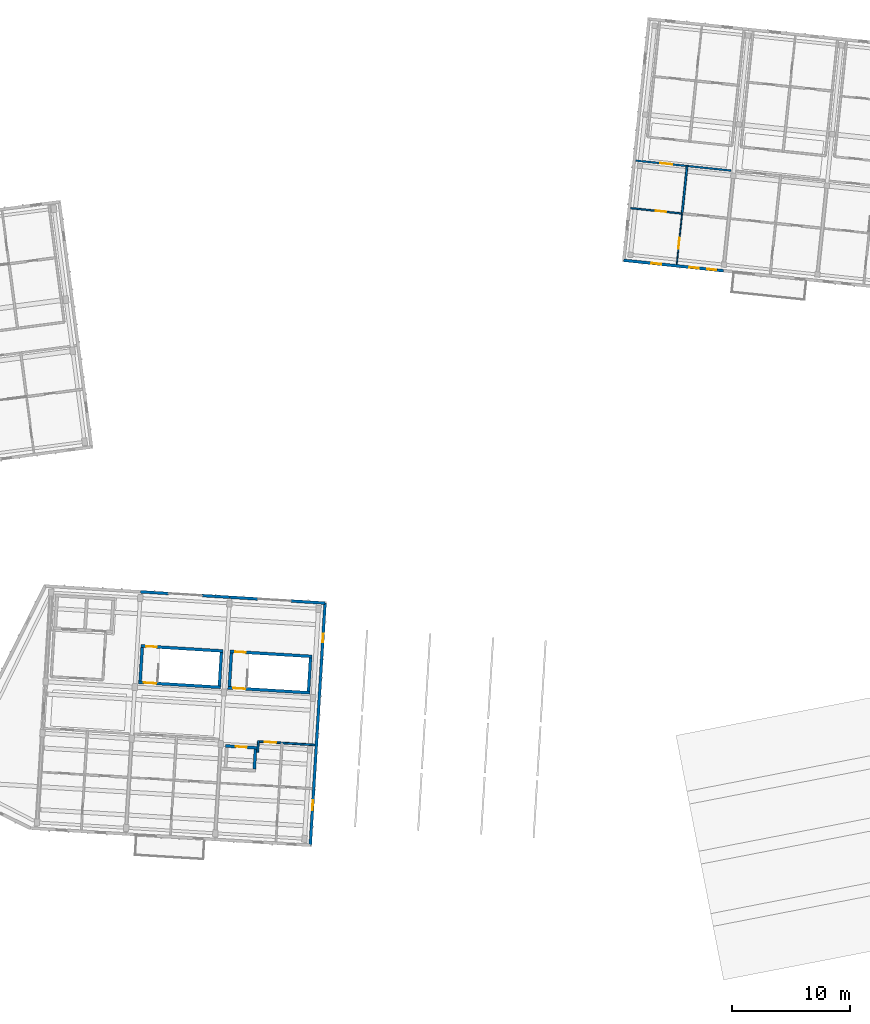
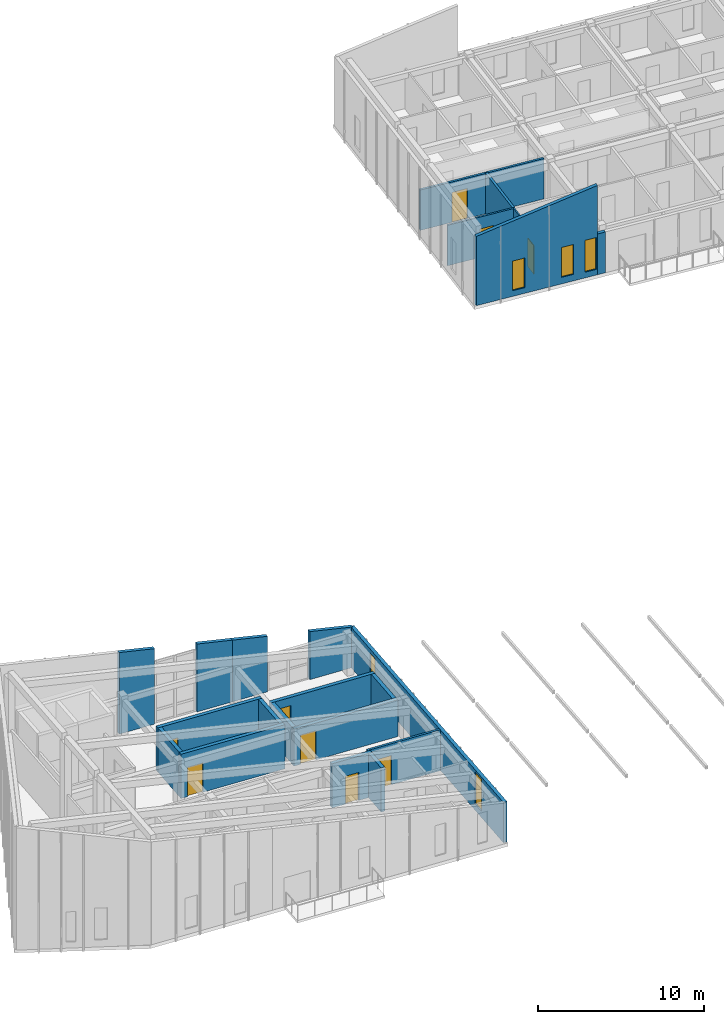
# One storey, part 23 of 45: 23 walls, 9 doors, 5 windows, 14 openings.
"""IFC4 building model written with IfcOpenShell, lengths in metres."""

from ifc_helpers import new_model, si_unit, direction, frame, frame_2d, origin, place, context, subcontext, project, spatial, polyline, rectangle, outline, extrude, material, layer, layer_set, type_object, element, fill, save


model = new_model("IFC4")

# Units and contexts
model_context = context("Model", 3, precision=1e-05, world=origin(), true_north=direction((0.0, 1.0)))
body_context = subcontext(model_context, "Body", "Model", "MODEL_VIEW")
ifc_project = project(units=[si_unit("LENGTHUNIT", "METRE"), si_unit("AREAUNIT", "SQUARE_METRE"), si_unit("VOLUMEUNIT", "CUBIC_METRE"), si_unit("PLANEANGLEUNIT", "RADIAN"), si_unit("MASSUNIT", "GRAM", prefix="KILO")], contexts=[model_context])

# Site, building, storey
site_placement = place(None, origin())
site = spatial("IfcSite", under=ifc_project, at=site_placement, CompositionType="ELEMENT")
building_placement = place(site_placement, origin())
building = spatial("IfcBuilding", under=site, at=building_placement, Name="Kestramere Prow Commons", CompositionType="ELEMENT")
storey_placement = place(building_placement, frame((0.0, 0.0, 31.14990234375)))
storey = spatial("IfcBuildingStorey", under=building, at=storey_placement, Name="L09", CompositionType="ELEMENT", Elevation=31.14990234375)

# Wall
ifc_material_1 = material(Name="Fluoropolymer Standing-Seam Zinc-Aluminium Cladding", Category="aluminium")
ifc_layer_1 = layer(ifc_material_1, 0.239990234375)
ifc_layer_set_1 = layer_set([ifc_layer_1], Name="Fluoropolymer Standing-Seam Zinc-Aluminium Cladding")
wall_type_1 = type_object("IfcWallType", Name="EW-SEAM-240", PredefinedType="SOLIDWALL", material=ifc_layer_set_1)
wall_1_placement = place(storey_placement, frame((117.9013671875, 93.441650390625, 0.0), z_axis=(0.0, 0.0, 1.0), x_axis=(-0.99451309317, 0.104612176701, 0.0)))
element("IfcWall", 1, at=wall_1_placement, inside=storey, type_object=wall_type_1, Name="Block B L09 South Step-Back Spandrel Wall 1", PredefinedType="SOLIDWALL", context=body_context, shape_type="SweptSolid", body=[
    extrude(rectangle(XDim=0.525146484375, YDim=0.239990234375, at=frame_2d((0.2626953125, 0.0))), origin(), (0.0, 0.0, 1.0), 3.0),
])

# Wall, openings, windows
wall_2_placement = place(storey_placement, frame((117.379150390625, 93.49658203125, 0.0), z_axis=(0.0, 0.0, 1.0), x_axis=(-0.994522329422, 0.104524333444, 0.0)))
wall_2 = element("IfcWall", 2, at=wall_2_placement, inside=storey, type_object=wall_type_1, Name="Block B L09 South Standing-Seam Wall 1", PredefinedType="SOLIDWALL", context=body_context, shape_type="SweptSolid", body=[
    extrude(outline(polyline([(0.0, 0.0), (7.999755859375, 0.0), (8.0, 5.08447265625), (0.0, 6.56884765625), (0.0, 0.0)])), frame((0.0, 0.1201171875, 0.0), z_axis=(0.0, -1.0, 0.0), x_axis=(1.0, 0.0, 0.0)), (0.0, 0.0, 1.0), 0.239990234375),
])
opening_1_placement = place(wall_2_placement, frame((0.0849609375, 0.0, 0.419921875)))
opening_1 = element("IfcOpeningElement", 3, at=opening_1_placement, cuts=wall_2, Name="Opening WN-10", PredefinedType="OPENING", context=body_context, shape_type="SweptSolid", body=[
    extrude(rectangle(XDim=0.760009765625, YDim=2.340087890625, at=frame_2d((0.3798828125, 1.169921875))), frame((0.0, 0.135009765625, 0.0), z_axis=(0.0, -1.0, 0.0), x_axis=(1.0, 0.0, 0.0)), (0.0, 0.0, 1.0), 0.27001953125),
])
opening_2_placement = place(wall_2_placement, frame((1.594970703125, 0.0, 0.47998046875)))
opening_2 = element("IfcOpeningElement", 4, at=opening_2_placement, cuts=wall_2, Name="Opening WN-11", PredefinedType="OPENING", context=body_context, shape_type="SweptSolid", body=[
    extrude(rectangle(XDim=0.780029296875, YDim=2.199951171875, at=frame_2d((0.39013671875, 1.10009765625))), frame((0.0, 0.135009765625, 0.0), z_axis=(0.0, -1.0, 0.0), x_axis=(1.0, 0.0, 0.0)), (0.0, 0.0, 1.0), 0.27001953125),
])
opening_3_placement = place(wall_2_placement, frame((4.80126953125, 0.0, 0.419921875)))
opening_3 = element("IfcOpeningElement", 5, at=opening_3_placement, cuts=wall_2, Name="Opening WN-13", PredefinedType="OPENING", context=body_context, shape_type="SweptSolid", body=[
    extrude(rectangle(XDim=0.820068359375, YDim=2.179931640625, at=frame_2d((0.41015625, 1.08984375))), frame((0.0, 0.135009765625, 0.0), z_axis=(0.0, -1.0, 0.0), x_axis=(1.0, 0.0, 0.0)), (0.0, 0.0, 1.0), 0.27001953125),
])
ifc_material_2 = material(Name="Low-E Laminated Double Glazing", Category="glass")
window_type_1 = type_object("IfcWindowType", Name="WN-NAR-760A", PartitioningType="SINGLE_PANEL", PredefinedType="WINDOW", material=ifc_material_2)
window_1_placement = place(opening_1_placement, origin())
window_1 = element("IfcWindow", 6, at=window_1_placement, inside=storey, type_object=window_type_1, Name="WN-B-L09-S-0-00", OverallHeight=2.340087890625, OverallWidth=0.760009765625, PartitioningType="SINGLE_PANEL", PredefinedType="WINDOW", context=body_context, shape_type="SweptSolid", body=[
    extrude(rectangle(XDim=0.760009765625, YDim=2.340087890625, at=frame_2d((0.3798828125, 1.169921875))), frame((0.0, 0.030029296875, 0.0), z_axis=(0.0, -1.0, 0.0), x_axis=(1.0, 0.0, 0.0)), (0.0, 0.0, 1.0), 0.06005859375),
])
fill(opening_1, window_1)
window_type_2 = type_object("IfcWindowType", Name="WN-NAR-780A", PartitioningType="SINGLE_PANEL", PredefinedType="WINDOW", material=ifc_material_2)
window_2_placement = place(opening_2_placement, origin())
window_2 = element("IfcWindow", 7, at=window_2_placement, inside=storey, type_object=window_type_2, Name="WN-B-L09-S-0-01", OverallHeight=2.199951171875, OverallWidth=0.780029296875, PartitioningType="SINGLE_PANEL", PredefinedType="WINDOW", context=body_context, shape_type="SweptSolid", body=[
    extrude(rectangle(XDim=0.780029296875, YDim=2.199951171875, at=frame_2d((0.39013671875, 1.10009765625))), frame((0.0, 0.030029296875, 0.0), z_axis=(0.0, -1.0, 0.0), x_axis=(1.0, 0.0, 0.0)), (0.0, 0.0, 1.0), 0.06005859375),
])
fill(opening_2, window_2)
window_type_3 = type_object("IfcWindowType", Name="WN-NAR-820A", PartitioningType="DOUBLE_PANEL_VERTICAL", PredefinedType="WINDOW", material=ifc_material_2)
window_3_placement = place(opening_3_placement, origin())
window_3 = element("IfcWindow", 8, at=window_3_placement, inside=storey, type_object=window_type_3, Name="WN-B-L09-S-0-10", OverallHeight=2.179931640625, OverallWidth=0.820068359375, PartitioningType="SINGLE_PANEL", PredefinedType="WINDOW", context=body_context, shape_type="SweptSolid", body=[
    extrude(rectangle(XDim=0.820068359375, YDim=2.179931640625, at=frame_2d((0.41015625, 1.08984375))), frame((0.0, 0.030029296875, 0.0), z_axis=(0.0, -1.0, 0.0), x_axis=(1.0, 0.0, 0.0)), (0.0, 0.0, 1.0), 0.06005859375),
])
fill(opening_3, window_3)

# Walls
wall_3_placement = place(storey_placement, frame((68.314453125, 66.12353515625, 0.0), z_axis=(0.0, 0.0, 1.0), x_axis=(0.998134103342, -0.061059902923, 0.0)))
element("IfcWall", 9, at=wall_3_placement, inside=storey, type_object=wall_type_1, Name="Block C L09 North Standing-Seam Pier 2L", PredefinedType="SOLIDWALL", context=body_context, shape_type="SweptSolid", body=[
    extrude(outline(polyline([(0.0, 0.0), (2.375, 0.0), (2.375, 5.541015625), (0.0, 5.997802734375), (0.0, 0.0)])), frame((0.0, 0.1201171875, 0.0), z_axis=(0.0, -1.0, 0.0), x_axis=(1.0, 0.0, 0.0)), (0.0, 0.0, 1.0), 0.239990234375),
])
wall_4_placement = place(storey_placement, frame((73.52978515625, 65.804443359375, 0.0), z_axis=(0.0, 0.0, 1.0), x_axis=(0.998133720034, -0.061066168473, 0.0)))
element("IfcWall", 10, at=wall_4_placement, inside=storey, type_object=wall_type_1, Name="Block C L09 North Standing-Seam Pier 2R", PredefinedType="SOLIDWALL", context=body_context, shape_type="SweptSolid", body=[
    extrude(outline(polyline([(0.0, 0.0), (2.374755859375, 0.0), (2.375, 4.535400390625), (0.0, 4.992431640625), (0.0, 0.0)])), frame((0.0, 0.1201171875, 0.0), z_axis=(0.0, -1.0, 0.0), x_axis=(1.0, 0.0, 0.0)), (0.0, 0.0, 1.0), 0.239990234375),
])
wall_5_placement = place(storey_placement, frame((75.900146484375, 65.659423828125, 0.0), z_axis=(0.0, 0.0, 1.0), x_axis=(0.998140363035, -0.06095749076, 0.0)))
element("IfcWall", 11, at=wall_5_placement, inside=storey, type_object=wall_type_1, Name="Block C L09 North Standing-Seam Pier 3L", PredefinedType="SOLIDWALL", context=body_context, shape_type="SweptSolid", body=[
    extrude(outline(polyline([(0.0, 0.0), (2.375, 0.0), (2.375, 4.07861328125), (0.0, 4.535400390625), (0.0, 0.0)])), frame((0.0, 0.1201171875, 0.0), z_axis=(0.0, -1.0, 0.0), x_axis=(1.0, 0.0, 0.0)), (0.0, 0.0, 1.0), 0.239990234375),
])
wall_6_placement = place(storey_placement, frame((81.115478515625, 65.340576171875, 0.0), z_axis=(0.0, 0.0, 1.0), x_axis=(0.998135537192, -0.061036459553, 0.0)))
element("IfcWall", 12, at=wall_6_placement, inside=storey, type_object=wall_type_1, Name="Block C L09 North Standing-Seam Pier 3R", PredefinedType="SOLIDWALL", context=body_context, shape_type="SweptSolid", body=[
    extrude(outline(polyline([(0.0, 0.0), (2.89990234375, 0.0), (2.89990234375, 2.97216796875), (0.0, 3.5302734375), (0.0, 0.0)])), frame((0.0, 0.1201171875, 0.0), z_axis=(0.0, -1.0, 0.0), x_axis=(1.0, 0.0, 0.0)), (0.0, 0.0, 1.0), 0.239990234375),
])

# Wall, openings, windows
wall_7_placement = place(storey_placement, frame((84.010009765625, 65.16357421875, 0.0), z_axis=(0.0, 0.0, 1.0), x_axis=(-0.061040833846, -0.998135269692, 0.0)))
wall_7 = element("IfcWall", 13, at=wall_7_placement, inside=storey, type_object=wall_type_1, Name="Block C L09 EAV Facet Wall", PredefinedType="SOLIDWALL", context=body_context, shape_type="SweptSolid", body=[
    extrude(rectangle(XDim=20.650146484375, YDim=0.239990234375, at=frame_2d((10.3251953125, 0.0))), origin(), (0.0, 0.0, 1.0), 2.97216796875),
])
opening_4_placement = place(wall_7_placement, frame((2.6298828125, 0.0, 0.52001953125)))
opening_4 = element("IfcOpeningElement", 14, at=opening_4_placement, cuts=wall_7, Name="Opening WN-08", PredefinedType="OPENING", context=body_context, shape_type="SweptSolid", body=[
    extrude(rectangle(XDim=0.719970703125, YDim=2.159912109375, at=frame_2d((0.35986328125, 1.080078125))), frame((0.0, 0.135009765625, 0.0), z_axis=(0.0, -1.0, 0.0), x_axis=(1.0, 0.0, 0.0)), (0.0, 0.0, 1.0), 0.27001953125),
])
opening_5_placement = place(wall_7_placement, frame((16.800048828125, 0.0, 0.449951171875)))
opening_5 = element("IfcOpeningElement", 15, at=opening_5_placement, cuts=wall_7, Name="Opening WN-15", PredefinedType="OPENING", context=body_context, shape_type="SweptSolid", body=[
    extrude(rectangle(XDim=0.860107421875, YDim=2.360107421875, at=frame_2d((0.43017578125, 1.18017578125))), frame((0.0, 0.135009765625, 0.0), z_axis=(0.0, -1.0, 0.0), x_axis=(1.0, 0.0, 0.0)), (0.0, 0.0, 1.0), 0.27001953125),
])
window_type_4 = type_object("IfcWindowType", Name="WN-NAR-720A", PartitioningType="SINGLE_PANEL", PredefinedType="WINDOW", material=ifc_material_2)
window_4_placement = place(opening_4_placement, origin())
window_4 = element("IfcWindow", 16, at=window_4_placement, inside=storey, type_object=window_type_4, Name="WN-C-L09-EAV-0", OverallHeight=2.159912109375, OverallWidth=0.719970703125, PartitioningType="SINGLE_PANEL", PredefinedType="WINDOW", context=body_context, shape_type="SweptSolid", body=[
    extrude(rectangle(XDim=0.719970703125, YDim=2.159912109375, at=frame_2d((0.35986328125, 1.080078125))), frame((0.0, 0.030029296875, 0.0), z_axis=(0.0, -1.0, 0.0), x_axis=(1.0, 0.0, 0.0)), (0.0, 0.0, 1.0), 0.06005859375),
])
fill(opening_4, window_4)
window_type_5 = type_object("IfcWindowType", Name="WN-NAR-860A", PartitioningType="DOUBLE_PANEL_VERTICAL", PredefinedType="WINDOW", material=ifc_material_2)
window_5_placement = place(opening_5_placement, origin())
window_5 = element("IfcWindow", 17, at=window_5_placement, inside=storey, type_object=window_type_5, Name="WN-C-L09-EAV-1", OverallHeight=2.360107421875, OverallWidth=0.860107421875, PartitioningType="SINGLE_PANEL", PredefinedType="WINDOW", context=body_context, shape_type="SweptSolid", body=[
    extrude(rectangle(XDim=0.860107421875, YDim=2.360107421875, at=frame_2d((0.43017578125, 1.18017578125))), frame((0.0, 0.030029296875, 0.0), z_axis=(0.0, -1.0, 0.0), x_axis=(1.0, 0.0, 0.0)), (0.0, 0.0, 1.0), 0.06005859375),
])
fill(opening_5, window_5)

# Wall, opening, door
ifc_material_3 = material(Name="Concrete C40/50", Category="concrete")
ifc_layer_2 = layer(ifc_material_3, 0.25)
ifc_layer_set_2 = layer_set([ifc_layer_2], Name="Concrete C40/50")
wall_type_2 = type_object("IfcWallType", Name="W-CORE-250", PredefinedType="SHEAR", material=ifc_layer_set_2)
wall_8_placement = place(storey_placement, frame((68.3330078125, 61.513671875, 0.0), z_axis=(0.0, 0.0, 1.0), x_axis=(0.998135676081, -0.061034188237, 0.0)))
wall_8 = element("IfcWall", 18, at=wall_8_placement, inside=storey, type_object=wall_type_2, Name="ST-C1 L09 North Shaft Wall", PredefinedType="SHEAR", context=body_context, shape_type="SweptSolid", body=[
    extrude(rectangle(XDim=7.0, YDim=0.25, at=frame_2d((3.5, 0.0))), origin(), (0.0, 0.0, 1.0), 3.25),
])
opening_6_placement = place(wall_8_placement, frame((0.449951171875, 0.0, 0.0)))
opening_6 = element("IfcOpeningElement", 19, at=opening_6_placement, cuts=wall_8, Name="Opening ID-08", PredefinedType="OPENING", context=body_context, shape_type="SweptSolid", body=[
    extrude(rectangle(XDim=0.89990234375, YDim=2.10009765625, at=frame_2d((0.449951171875, 1.050048828125))), frame((0.0, 0.139892578125, 0.0), z_axis=(0.0, -1.0, 0.0), x_axis=(1.0, 0.0, 0.0)), (0.0, 0.0, 1.0), 0.280029296875),
])
ifc_material_4 = material(Name="Engineered Timber Flush Door", Category="wood")
door_type_1 = type_object("IfcDoorType", Name="D-RM-01", OperationType="NOTDEFINED", PredefinedType="DOOR", material=ifc_material_4)
door_1_placement = place(opening_6_placement, origin())
door_1 = element("IfcDoor", 20, at=door_1_placement, inside=storey, type_object=door_type_1, Name="ST-C1 L09 North Room Door", OperationType="SINGLE_SWING_RIGHT", OverallHeight=2.10009765625, OverallWidth=0.89990234375, PredefinedType="DOOR", context=body_context, shape_type="SweptSolid", body=[
    extrude(rectangle(XDim=0.89990234375, YDim=2.10009765625, at=frame_2d((0.449951171875, 1.050048828125))), frame((0.0, 0.02490234375, 0.0), z_axis=(0.0, -1.0, 0.0), x_axis=(1.0, 0.0, 0.0)), (0.0, 0.0, 1.0), 0.050048828125),
])
fill(opening_6, door_1)

wall_9_placement = place(storey_placement, frame((68.143798828125, 58.41943359375, 0.0), z_axis=(0.0, 0.0, 1.0), x_axis=(0.998135546153, -0.061036313012, 0.0)))
wall_9 = element("IfcWall", 21, at=wall_9_placement, inside=storey, type_object=wall_type_2, Name="ST-C1 L09 Corridor Shaft Wall", PredefinedType="SHEAR", context=body_context, shape_type="SweptSolid", body=[
    extrude(rectangle(XDim=6.999755859375, YDim=0.25, at=frame_2d((3.5, 0.0))), origin(), (0.0, 0.0, 1.0), 3.25),
])
opening_7_placement = place(wall_9_placement, frame((0.449951171875, 0.0, 0.0)))
opening_7 = element("IfcOpeningElement", 22, at=opening_7_placement, cuts=wall_9, Name="Opening ID-01", PredefinedType="OPENING", context=body_context, shape_type="SweptSolid", body=[
    extrude(rectangle(XDim=1.050048828125, YDim=2.14990234375, at=frame_2d((0.52490234375, 1.074951171875))), frame((0.0, 0.139892578125, 0.0), z_axis=(0.0, -1.0, 0.0), x_axis=(1.0, 0.0, 0.0)), (0.0, 0.0, 1.0), 0.280029296875),
])
ifc_material_5 = material(Name="Fire-Rated Timber and Steel Frame", Category="steel")
door_type_2 = type_object("IfcDoorType", Name="FD-ST-01", OperationType="NOTDEFINED", PredefinedType="DOOR", material=ifc_material_5)
door_2_placement = place(opening_7_placement, origin())
door_2 = element("IfcDoor", 23, at=door_2_placement, inside=storey, type_object=door_type_2, Name="ST-C1 L09 Protected Stair Door", OperationType="SINGLE_SWING_RIGHT", OverallHeight=2.14990234375, OverallWidth=1.050048828125, PredefinedType="DOOR", context=body_context, shape_type="SweptSolid", body=[
    extrude(rectangle(XDim=1.050048828125, YDim=2.14990234375, at=frame_2d((0.52490234375, 1.074951171875))), frame((0.0, 0.02490234375, 0.0), z_axis=(0.0, -1.0, 0.0), x_axis=(1.0, 0.0, 0.0)), (0.0, 0.0, 1.0), 0.050048828125),
])
fill(opening_7, door_2)

# Walls
for number, where, z_axis, x_axis, name in (
    (24, (68.276123046875, 58.53662109375, 0.0), (0.0, 0.0, 1.0), (0.06107697143, 0.998133059046, 0.0), "ST-C1 L09 Near Shaft Wall"),
    (25, (75.013671875, 58.12451171875, 0.0), (0.0, 0.0, 1.0), (0.060991628362, 0.99813827763, 0.0), "ST-C1 L09 Far Shaft Wall"),
):
    element("IfcWall", number, at=place(storey_placement, frame(where, z_axis=z_axis, x_axis=x_axis)), inside=storey, type_object=wall_type_2, Name=name, PredefinedType="SHEAR", context=body_context, shape_type="SweptSolid", body=[
        extrude(rectangle(XDim=2.85009765625, YDim=0.25, at=frame_2d((1.425048828125, 0.0))), origin(), (0.0, 0.0, 1.0), 3.25),
    ])

# Wall, opening, door
wall_10_placement = place(storey_placement, frame((75.9189453125, 61.0498046875, 0.0), z_axis=(0.0, 0.0, 1.0), x_axis=(0.998135546153, -0.061036313012, 0.0)))
wall_10 = element("IfcWall", 26, at=wall_10_placement, inside=storey, type_object=wall_type_2, Name="ST-C2 L09 North Shaft Wall", PredefinedType="SHEAR", context=body_context, shape_type="SweptSolid", body=[
    extrude(rectangle(XDim=6.999755859375, YDim=0.25, at=frame_2d((3.5, 0.0))), origin(), (0.0, 0.0, 1.0), 2.708251953125),
])
opening_8_placement = place(wall_10_placement, frame((0.449951171875, 0.0, 0.0)))
opening_8 = element("IfcOpeningElement", 27, at=opening_8_placement, cuts=wall_10, Name="Opening ID-08", PredefinedType="OPENING", context=body_context, shape_type="SweptSolid", body=[
    extrude(rectangle(XDim=0.89990234375, YDim=2.10009765625, at=frame_2d((0.449951171875, 1.050048828125))), frame((0.0, 0.139892578125, 0.0), z_axis=(0.0, -1.0, 0.0), x_axis=(1.0, 0.0, 0.0)), (0.0, 0.0, 1.0), 0.280029296875),
])
door_3_placement = place(opening_8_placement, origin())
door_3 = element("IfcDoor", 28, at=door_3_placement, inside=storey, type_object=door_type_1, Name="ST-C2 L09 North Room Door", OperationType="SINGLE_SWING_RIGHT", OverallHeight=2.10009765625, OverallWidth=0.89990234375, PredefinedType="DOOR", context=body_context, shape_type="SweptSolid", body=[
    extrude(rectangle(XDim=0.89990234375, YDim=2.10009765625, at=frame_2d((0.449951171875, 1.050048828125))), frame((0.0, 0.02490234375, 0.0), z_axis=(0.0, -1.0, 0.0), x_axis=(1.0, 0.0, 0.0)), (0.0, 0.0, 1.0), 0.050048828125),
])
fill(opening_8, door_3)

wall_11_placement = place(storey_placement, frame((75.729736328125, 57.95556640625, 0.0), z_axis=(0.0, 0.0, 1.0), x_axis=(0.998135546153, -0.061036313012, 0.0)))
wall_11 = element("IfcWall", 29, at=wall_11_placement, inside=storey, type_object=wall_type_2, Name="ST-C2 L09 Corridor Shaft Wall", PredefinedType="SHEAR", context=body_context, shape_type="SweptSolid", body=[
    extrude(rectangle(XDim=6.999755859375, YDim=0.25, at=frame_2d((3.5, 0.0))), origin(), (0.0, 0.0, 1.0), 2.708251953125),
])
opening_9_placement = place(wall_11_placement, frame((0.449951171875, 0.0, 0.0)))
opening_9 = element("IfcOpeningElement", 30, at=opening_9_placement, cuts=wall_11, Name="Opening ID-01", PredefinedType="OPENING", context=body_context, shape_type="SweptSolid", body=[
    extrude(rectangle(XDim=1.050048828125, YDim=2.14990234375, at=frame_2d((0.52490234375, 1.074951171875))), frame((0.0, 0.139892578125, 0.0), z_axis=(0.0, -1.0, 0.0), x_axis=(1.0, 0.0, 0.0)), (0.0, 0.0, 1.0), 0.280029296875),
])
door_4_placement = place(opening_9_placement, origin())
door_4 = element("IfcDoor", 31, at=door_4_placement, inside=storey, type_object=door_type_2, Name="ST-C2 L09 Protected Stair Door", OperationType="SINGLE_SWING_RIGHT", OverallHeight=2.14990234375, OverallWidth=1.050048828125, PredefinedType="DOOR", context=body_context, shape_type="SweptSolid", body=[
    extrude(rectangle(XDim=1.050048828125, YDim=2.14990234375, at=frame_2d((0.52490234375, 1.074951171875))), frame((0.0, 0.02490234375, 0.0), z_axis=(0.0, -1.0, 0.0), x_axis=(1.0, 0.0, 0.0)), (0.0, 0.0, 1.0), 0.050048828125),
])
fill(opening_9, door_4)

# Walls
for number, where, z_axis, x_axis, name in (
    (32, (75.862060546875, 58.07275390625, 0.0), (0.0, 0.0, 1.0), (0.060991628362, 0.99813827763, 0.0), "ST-C2 L09 Near Shaft Wall"),
    (33, (82.599365234375, 57.66064453125, 0.0), (0.0, 0.0, 1.0), (0.06107697143, 0.998133059046, 0.0), "ST-C2 L09 Far Shaft Wall"),
):
    element("IfcWall", number, at=place(storey_placement, frame(where, z_axis=z_axis, x_axis=x_axis)), inside=storey, type_object=wall_type_2, Name=name, PredefinedType="SHEAR", context=body_context, shape_type="SweptSolid", body=[
        extrude(rectangle(XDim=2.85009765625, YDim=0.25, at=frame_2d((1.425048828125, 0.0))), origin(), (0.0, 0.0, 1.0), 2.708251953125),
    ])

# Wall, opening, door
ifc_material_6 = material(Name="Fire-Rated Calcium Silicate Wall")
ifc_layer_3 = layer(ifc_material_6, 0.155029296875)
ifc_layer_set_3 = layer_set([ifc_layer_3], Name="Fire-Rated Calcium Silicate Wall")
wall_type_3 = type_object("IfcWallType", Name="W-FIRE-150", PredefinedType="PARTITIONING", material=ifc_layer_set_3)
wall_12_placement = place(storey_placement, frame((110.445556640625, 102.8173828125, 0.0), z_axis=(0.0, 0.0, 1.0), x_axis=(0.994520852686, -0.104538383252, 0.0)))
wall_12 = element("IfcWall", 34, at=wall_12_placement, inside=storey, type_object=wall_type_3, Name="Interior Partition PW-B-L09-CS-0", PredefinedType="PARTITIONING", context=body_context, shape_type="SweptSolid", body=[
    extrude(rectangle(XDim=8.159912109375, YDim=0.155029296875, at=frame_2d((4.080078125, 0.0))), origin(), (0.0, 0.0, 1.0), 2.97021484375),
])
opening_10_placement = place(wall_12_placement, frame((2.0849609375, 0.0, 0.0)))
opening_10 = element("IfcOpeningElement", 35, at=opening_10_placement, cuts=wall_12, Name="Opening ID-05", PredefinedType="OPENING", context=body_context, shape_type="SweptSolid", body=[
    extrude(rectangle(XDim=1.02001953125, YDim=2.199951171875, at=frame_2d((0.510009765625, 1.10009765625))), frame((0.0, 0.092529296875, 0.0), z_axis=(0.0, -1.0, 0.0), x_axis=(1.0, 0.0, 0.0)), (0.0, 0.0, 1.0), 0.18505859375),
])
ifc_material_7 = material(Name="Hardwood Fire-Rated Flat Entrance Door", Category="wood")
door_type_3 = type_object("IfcDoorType", Name="FD-ENT-02", OperationType="NOTDEFINED", PredefinedType="DOOR", material=ifc_material_7)
door_5_placement = place(opening_10_placement, origin())
door_5 = element("IfcDoor", 36, at=door_5_placement, inside=storey, type_object=door_type_3, Name="Interior Door DR-B-L09-ENT-S0", OperationType="SINGLE_SWING_RIGHT", OverallHeight=2.199951171875, OverallWidth=1.02001953125, PredefinedType="DOOR", context=body_context, shape_type="SweptSolid", body=[
    extrude(rectangle(XDim=1.02001953125, YDim=2.199951171875, at=frame_2d((0.510009765625, 1.10009765625))), frame((0.0, 0.02490234375, 0.0), z_axis=(0.0, -1.0, 0.0), x_axis=(1.0, 0.0, 0.0)), (0.0, 0.0, 1.0), 0.050048828125),
])
fill(opening_10, door_5)

# Wall
wall_13_placement = place(storey_placement, frame((78.279052734375, 52.464599609375, 0.0), z_axis=(0.0, 0.0, 1.0), x_axis=(0.061095097219, 0.998131949742, 0.0)))
element("IfcWall", 37, at=wall_13_placement, inside=storey, type_object=wall_type_3, Name="Interior Partition PW-C-L09-HS-CLOSER", PredefinedType="PARTITIONING", context=body_context, shape_type="SweptSolid", body=[
    extrude(rectangle(XDim=0.9951171875, YDim=0.155029296875, at=frame_2d((0.49755859375, 0.0))), origin(), (0.0, 0.0, 1.0), 3.01806640625),
])

# Wall, opening, door
wall_14_placement = place(storey_placement, frame((78.415283203125, 53.378173828125, 0.0), z_axis=(0.0, 0.0, 1.0), x_axis=(0.998134754438, -0.061049258666, 0.0)))
wall_14 = element("IfcWall", 38, at=wall_14_placement, inside=storey, type_object=wall_type_3, Name="Interior Partition PW-C-L09-CS-2", PredefinedType="PARTITIONING", context=body_context, shape_type="SweptSolid", body=[
    extrude(rectangle(XDim=4.73486328125, YDim=0.155029296875, at=frame_2d((2.367431640625, 0.0))), origin(), (0.0, 0.0, 1.0), 3.01806640625),
])
opening_11_placement = place(wall_14_placement, frame((0.45703125, 0.0, 0.0)))
opening_11 = element("IfcOpeningElement", 39, at=opening_11_placement, cuts=wall_14, Name="Opening ID-04", PredefinedType="OPENING", context=body_context, shape_type="SweptSolid", body=[
    extrude(rectangle(XDim=0.97998046875, YDim=2.14990234375, at=frame_2d((0.489990234375, 1.074951171875))), frame((0.0, 0.092529296875, 0.0), z_axis=(0.0, -1.0, 0.0), x_axis=(1.0, 0.0, 0.0)), (0.0, 0.0, 1.0), 0.18505859375),
])
door_type_4 = type_object("IfcDoorType", Name="FD-ENT-01", OperationType="NOTDEFINED", PredefinedType="DOOR", material=ifc_material_7)
door_6_placement = place(opening_11_placement, origin())
door_6 = element("IfcDoor", 40, at=door_6_placement, inside=storey, type_object=door_type_4, Name="Interior Door DR-C-L09-ENT-S2", OperationType="SINGLE_SWING_RIGHT", OverallHeight=2.14990234375, OverallWidth=0.97998046875, PredefinedType="DOOR", context=body_context, shape_type="SweptSolid", body=[
    extrude(rectangle(XDim=0.97998046875, YDim=2.14990234375, at=frame_2d((0.489990234375, 1.074951171875))), frame((0.0, 0.02490234375, 0.0), z_axis=(0.0, -1.0, 0.0), x_axis=(1.0, 0.0, 0.0)), (0.0, 0.0, 1.0), 0.050048828125),
])
fill(opening_11, door_6)

ifc_layer_4 = layer(ifc_material_3, 0.25)
ifc_layer_set_4 = layer_set([ifc_layer_4], Name="Concrete C40/50")
wall_type_4 = type_object("IfcWallType", Name="W-HS-250", PredefinedType="SHEAR", material=ifc_layer_set_4)
wall_15_placement = place(storey_placement, frame((75.52734375, 53.0087890625, 0.0), z_axis=(0.0, 0.0, 1.0), x_axis=(0.998129907752, -0.061128448781, 0.0)))
wall_15 = element("IfcWall", 41, at=wall_15_placement, inside=storey, type_object=wall_type_4, Name="Block C L09 Household Shelter North Wall", PredefinedType="SHEAR", context=body_context, shape_type="SweptSolid", body=[
    extrude(rectangle(XDim=2.699951171875, YDim=0.25, at=frame_2d((1.35009765625, 0.0))), origin(), (0.0, 0.0, 1.0), 3.25),
])
opening_12_placement = place(wall_15_placement, frame((0.89990234375, 0.0, 0.0)))
opening_12 = element("IfcOpeningElement", 42, at=opening_12_placement, cuts=wall_15, Name="Opening ID-06", PredefinedType="OPENING", context=body_context, shape_type="SweptSolid", body=[
    extrude(rectangle(XDim=0.89990234375, YDim=2.050048828125, at=frame_2d((0.449951171875, 1.02490234375))), frame((0.0, 0.139892578125, 0.0), z_axis=(0.0, -1.0, 0.0), x_axis=(1.0, 0.0, 0.0)), (0.0, 0.0, 1.0), 0.280029296875),
])
ifc_material_8 = material(Name="Galvanised Steel S275JR Household Shelter Door", Category="steel")
door_type_5 = type_object("IfcDoorType", Name="FD-HS-01", OperationType="NOTDEFINED", PredefinedType="DOOR", material=ifc_material_8)
door_7_placement = place(opening_12_placement, origin())
door_7 = element("IfcDoor", 43, at=door_7_placement, inside=storey, type_object=door_type_5, Name="Block C L09 Household Shelter Blast Door", OperationType="SINGLE_SWING_LEFT", OverallHeight=2.050048828125, OverallWidth=0.89990234375, PredefinedType="DOOR", context=body_context, shape_type="SweptSolid", body=[
    extrude(rectangle(XDim=0.89990234375, YDim=2.050048828125, at=frame_2d((0.449951171875, 1.02490234375))), frame((0.0, 0.02490234375, 0.0), z_axis=(0.0, -1.0, 0.0), x_axis=(1.0, 0.0, 0.0)), (0.0, 0.0, 1.0), 0.050048828125),
])
fill(opening_12, door_7)

# Wall
wall_16_placement = place(storey_placement, frame((77.986083984375, 51.02978515625, 0.0), z_axis=(0.0, 0.0, 1.0), x_axis=(0.061028314627, 0.998136035225, 0.0)))
element("IfcWall", 44, at=wall_16_placement, inside=storey, type_object=wall_type_4, Name="Block C L09 Household Shelter E Wall", PredefinedType="SHEAR", context=body_context, shape_type="SweptSolid", body=[
    extrude(rectangle(XDim=1.7001953125, YDim=0.25, at=frame_2d((0.85009765625, 0.0))), origin(), (0.0, 0.0, 1.0), 3.25),
])

# Wall, opening, door
ifc_material_9 = material(Name="Lightweight Blockwork and Plaster", Category="masonry")
ifc_layer_5 = layer(ifc_material_9, 0.1298828125)
ifc_layer_set_5 = layer_set([ifc_layer_5], Name="Lightweight Blockwork and Plaster")
wall_type_5 = type_object("IfcWallType", Name="W-PART-130", PredefinedType="PARTITIONING", material=ifc_layer_set_5)
wall_17_placement = place(storey_placement, frame((110.02001953125, 98.76953125, 0.0), z_axis=(0.0, 0.0, 1.0), x_axis=(0.994525828039, -0.104491039633, 0.0)))
wall_17 = element("IfcWall", 45, at=wall_17_placement, inside=storey, type_object=wall_type_5, Name="Interior Partition PW-B-L09-MIDS1-0", PredefinedType="PARTITIONING", context=body_context, shape_type="SweptSolid", body=[
    extrude(rectangle(XDim=4.39501953125, YDim=0.1298828125, at=frame_2d((2.197509765625, 0.0))), origin(), (0.0, 0.0, 1.0), 2.97021484375),
])
opening_13_placement = place(wall_17_placement, frame((2.135009765625, 0.0, 0.0)))
opening_13 = element("IfcOpeningElement", 46, at=opening_13_placement, cuts=wall_17, Name="Opening ID-10", PredefinedType="OPENING", context=body_context, shape_type="SweptSolid", body=[
    extrude(rectangle(XDim=0.8798828125, YDim=2.10009765625, at=frame_2d((0.43994140625, 1.050048828125))), frame((0.0, 0.079833984375, 0.0), z_axis=(0.0, -1.0, 0.0), x_axis=(1.0, 0.0, 0.0)), (0.0, 0.0, 1.0), 0.159912109375),
])
ifc_material_10 = material(Name="Engineered Timber Bedroom Door", Category="wood")
door_type_6 = type_object("IfcDoorType", Name="D-RM-03", OperationType="NOTDEFINED", PredefinedType="DOOR", material=ifc_material_10)
door_8_placement = place(opening_13_placement, origin())
door_8 = element("IfcDoor", 47, at=door_8_placement, inside=storey, type_object=door_type_6, Name="Interior Door DR-B-L09-KL-S0", OperationType="SINGLE_SWING_RIGHT", OverallHeight=2.10009765625, OverallWidth=0.8798828125, PredefinedType="DOOR", context=body_context, shape_type="SweptSolid", body=[
    extrude(rectangle(XDim=0.8798828125, YDim=2.10009765625, at=frame_2d((0.43994140625, 1.050048828125))), frame((0.0, 0.02490234375, 0.0), z_axis=(0.0, -1.0, 0.0), x_axis=(1.0, 0.0, 0.0)), (0.0, 0.0, 1.0), 0.050048828125),
])
fill(opening_13, door_8)

ifc_material_11 = material(Name="Gypsum Acoustic Drywall")
ifc_layer_6 = layer(ifc_material_11, 0.094970703125)
ifc_layer_set_6 = layer_set([ifc_layer_6], Name="Gypsum Acoustic Drywall")
wall_type_6 = type_object("IfcWallType", Name="W-PART-95", PredefinedType="PARTITIONING", material=ifc_layer_set_6)
wall_18_placement = place(storey_placement, frame((113.937255859375, 93.994140625, 0.0), z_axis=(0.0, 0.0, 1.0), x_axis=(0.104520797474, 0.994522701046, 0.0)))
wall_18 = element("IfcWall", 48, at=wall_18_placement, inside=storey, type_object=wall_type_6, Name="Interior Partition PW-B-L09-LB-S0", PredefinedType="PARTITIONING", context=body_context, shape_type="SweptSolid", body=[
    extrude(rectangle(XDim=4.33984375, YDim=0.094970703125, at=frame_2d((2.169921875, 0.0))), origin(), (0.0, 0.0, 1.0), 2.97021484375),
])
opening_14_placement = place(wall_18_placement, frame((1.35009765625, 0.0, 0.0)))
opening_14 = element("IfcOpeningElement", 49, at=opening_14_placement, cuts=wall_18, Name="Opening ID-08", PredefinedType="OPENING", context=body_context, shape_type="SweptSolid", body=[
    extrude(rectangle(XDim=0.89990234375, YDim=2.10009765625, at=frame_2d((0.449951171875, 1.050048828125))), frame((0.0, 0.0625, 0.0), z_axis=(0.0, -1.0, 0.0), x_axis=(1.0, 0.0, 0.0)), (0.0, 0.0, 1.0), 0.125),
])
door_9_placement = place(opening_14_placement, origin())
door_9 = element("IfcDoor", 50, at=door_9_placement, inside=storey, type_object=door_type_1, Name="Interior Door DR-B-L09-BED-S0", OperationType="SINGLE_SWING_LEFT", OverallHeight=2.10009765625, OverallWidth=0.89990234375, PredefinedType="DOOR", context=body_context, shape_type="SweptSolid", body=[
    extrude(rectangle(XDim=0.89990234375, YDim=2.10009765625, at=frame_2d((0.449951171875, 1.050048828125))), frame((0.0, 0.02490234375, 0.0), z_axis=(0.0, -1.0, 0.0), x_axis=(1.0, 0.0, 0.0)), (0.0, 0.0, 1.0), 0.050048828125),
])
fill(opening_14, door_9)

# Wall
ifc_material_12 = material(Name="Waterproof Sanitary Masonry Wall", Category="masonry")
ifc_layer_7 = layer(ifc_material_12, 0.1650390625)
ifc_layer_set_7 = layer_set([ifc_layer_7], Name="Waterproof Sanitary Masonry Wall")
wall_type_7 = type_object("IfcWallType", Name="W-PLUMB-150", PredefinedType="PLUMBINGWALL", material=ifc_layer_set_7)
wall_19_placement = place(storey_placement, frame((114.390869140625, 98.310302734375, 0.0), z_axis=(0.0, 0.0, 1.0), x_axis=(0.104556757316, 0.994518921137, 0.0)))
element("IfcWall", 51, at=wall_19_placement, inside=storey, type_object=wall_type_7, Name="Interior Partition PW-B-L09-KB-S0", PredefinedType="PLUMBINGWALL", context=body_context, shape_type="SweptSolid", body=[
    extrude(rectangle(XDim=4.06982421875, YDim=0.1650390625, at=frame_2d((2.034912109375, 0.0))), origin(), (0.0, 0.0, 1.0), 2.97021484375),
])

save(model, "model.ifc")
